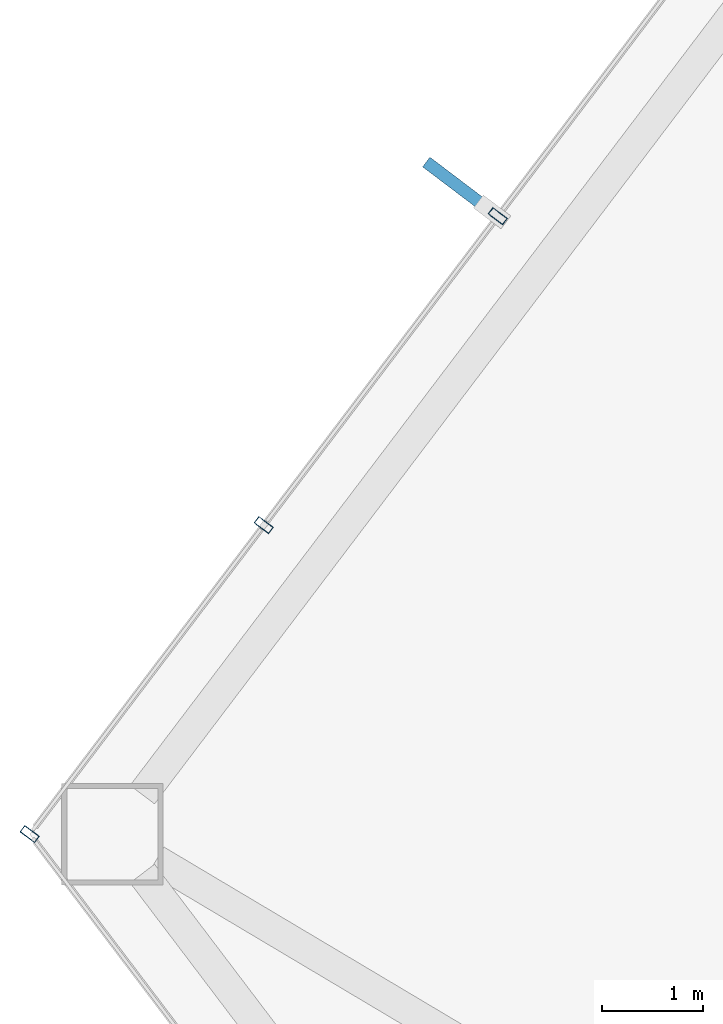
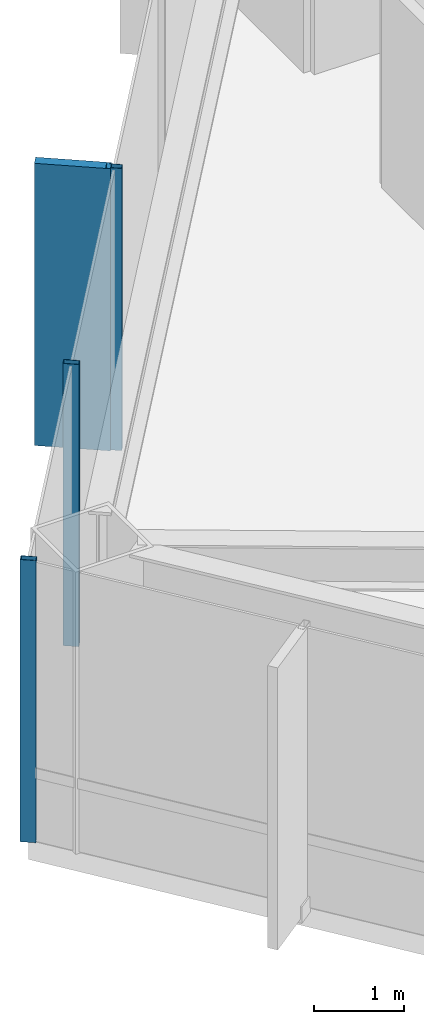
# One storey, part 10 of 25: 4 members, 1 element without a shape of its own.
"""IFC4 building model written with IfcOpenShell, lengths in metres."""

from ifc_helpers import new_model, si_unit, direction, frame, origin, origin_2d, place, context, subcontext, project, spatial, rectangle, hollow_rectangle, extrude, material, layer, layer_set, material_profile, profile_set, type_object, element, aggregate, save


model = new_model("IFC4")

# Units and contexts
model_context = context("Model", 3, precision=1e-05, world=origin(), true_north=direction((0.0, 1.0)))
body_context = subcontext(model_context, "Body", "Model", "MODEL_VIEW")
ifc_project = project(units=[si_unit("LENGTHUNIT", "METRE"), si_unit("AREAUNIT", "SQUARE_METRE"), si_unit("VOLUMEUNIT", "CUBIC_METRE"), si_unit("PLANEANGLEUNIT", "RADIAN"), si_unit("MASSUNIT", "GRAM", prefix="KILO")], contexts=[model_context])

# Site, building, storey
site_placement = place(None, origin())
site = spatial("IfcSite", under=ifc_project, at=site_placement, CompositionType="ELEMENT")
building_placement = place(site_placement, origin())
building = spatial("IfcBuilding", under=site, at=building_placement, Name="Zarrinselat Tower", CompositionType="ELEMENT")
storey_placement = place(building_placement, frame((0.0, 0.0, 52.02001953125)))
storey = spatial("IfcBuildingStorey", under=building, at=storey_placement, Name="L12", CompositionType="ELEMENT", Elevation=52.02001953125)

# Curtain wall, members
ifc_material_1 = material(Name="Extruded Aluminium Alloy EN AW-6063 T6", Category="aluminium")
ifc_layer = layer(ifc_material_1, 0.18505859375)
ifc_layer_set = layer_set([ifc_layer], Name="Extruded Aluminium Alloy EN AW-6063 T6")
curtain_wall_type = type_object("IfcCurtainWallType", Name="CWS-OFF", PredefinedType="NOTDEFINED", material=ifc_layer_set)
curtain_wall_placement = place(storey_placement, origin())
curtain_wall = element("IfcCurtainWall", 1, at=curtain_wall_placement, inside=storey, type_object=curtain_wall_type, Name="L12 Unitised Curtain Wall CW-L12-E02", PredefinedType="NOTDEFINED")
ifc_material_2 = material(Name="Extruded Aluminium Alloy EN AW-6063 T6", Category="aluminium")
ifc_material_profile_1 = material_profile(ifc_material_2, hollow_rectangle(XDim=0.080078125, YDim=0.179931640625, WallThickness=0.0048828125, at=origin_2d()), Name="RHS 180x80x5")
ifc_profile_set_1 = profile_set([ifc_material_profile_1], Name="Extruded Aluminium Alloy EN AW-6063 T6")
member_type_1 = type_object("IfcMemberType", Name="MEM-CW-MUL", PredefinedType="MULLION", material=ifc_profile_set_1)
member_1_placement = place(storey_placement, frame((20.290771484375, 40.79248046875, 0.0), z_axis=(0.0, 0.0, 1.0), x_axis=(-0.603859502298, -0.797090773679, 0.0)))
member_1 = element("IfcMember", 2, at=member_1_placement, type_object=member_type_1, Name="CW-L12-E02 Mullion 5", PredefinedType="MULLION", context=body_context, shape_type="SweptSolid", body=[
    extrude(hollow_rectangle(XDim=0.080078125, YDim=0.179931640625, WallThickness=0.0048828125, at=origin_2d()), origin(), (0.0, 0.0, 1.0), 3.820068359375),
])
member_2_placement = place(storey_placement, frame((17.98388671875, 37.747314453125, 0.0), z_axis=(0.0, 0.0, 1.0), x_axis=(-0.603859502298, -0.797090773679, 0.0)))
member_2 = element("IfcMember", 3, at=member_2_placement, type_object=member_type_1, Name="CW-L12-E02 Mullion 6", PredefinedType="MULLION", context=body_context, shape_type="SweptSolid", body=[
    extrude(hollow_rectangle(XDim=0.080078125, YDim=0.179931640625, WallThickness=0.0048828125, at=origin_2d()), origin(), (0.0, 0.0, 1.0), 3.820068359375),
])
member_3_placement = place(storey_placement, frame((15.677001953125, 34.7021484375, 0.0), z_axis=(0.0, 0.0, 1.0), x_axis=(-0.603859502298, -0.797090773679, 0.0)))
member_3 = element("IfcMember", 4, at=member_3_placement, type_object=member_type_1, Name="CW-L12-E02 Mullion 7", PredefinedType="MULLION", context=body_context, shape_type="SweptSolid", body=[
    extrude(hollow_rectangle(XDim=0.080078125, YDim=0.179931640625, WallThickness=0.0048828125, at=origin_2d()), origin(), (0.0, 0.0, 1.0), 3.820068359375),
])
ifc_material_3 = material(Name="Honed Cream Travertine Stone", Category="masonry")
ifc_material_profile_2 = material_profile(ifc_material_3, rectangle(XDim=0.1201171875, YDim=0.85009765625, at=origin_2d()), Name="FIN 850x120")
ifc_profile_set_2 = profile_set([ifc_material_profile_2], Name="Honed Cream Travertine Stone")
member_type_2 = type_object("IfcMemberType", Name="MEM-STONE-FIN", PredefinedType="USERDEFINED", material=ifc_profile_set_2)
member_4_placement = place(storey_placement, frame((19.924072265625, 41.0703125, 0.0), z_axis=(0.0, 0.0, 1.0), x_axis=(0.603859502298, 0.797090773679, 0.0)))
member_4 = element("IfcMember", 5, at=member_4_placement, type_object=member_type_2, Name="L12 Stone Shading Fin CW-L12-E02-05", ObjectType="FIN", PredefinedType="USERDEFINED", context=body_context, shape_type="SweptSolid", body=[
    extrude(rectangle(XDim=0.1201171875, YDim=0.85009765625, at=origin_2d()), origin(), (0.0, 0.0, 1.0), 3.820068359375),
])
aggregate(curtain_wall, [member_1, member_4, member_2, member_3])

save(model, "model.ifc")
